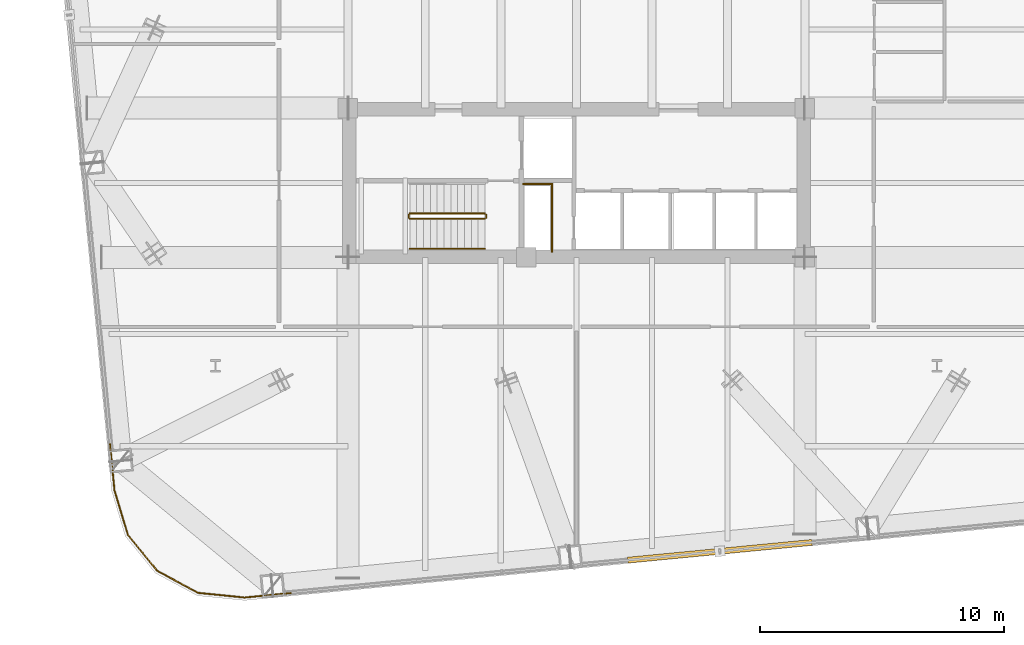
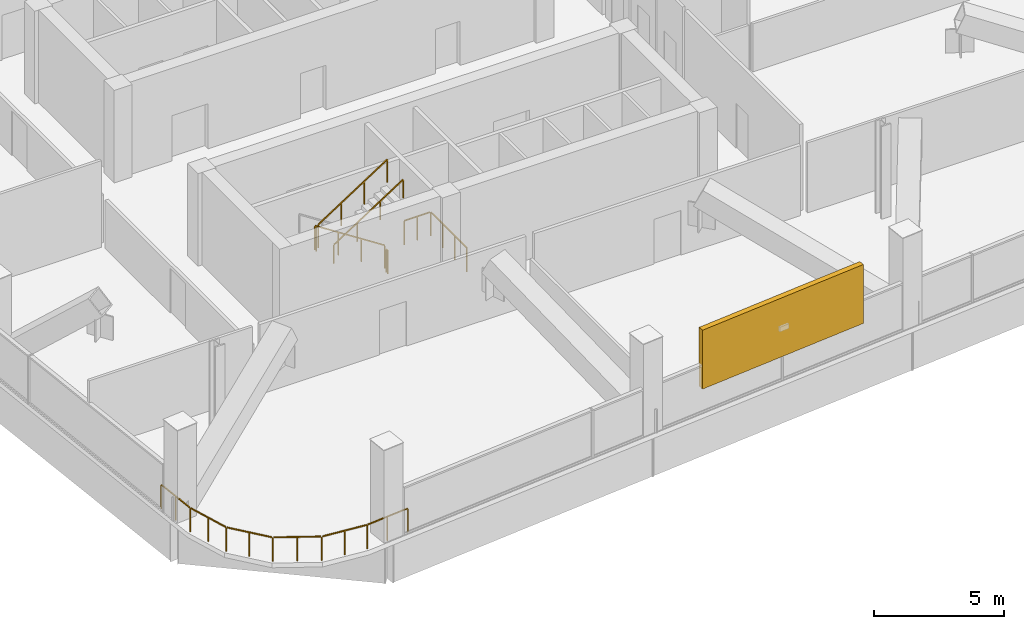
# One storey, part 28 of 30: 7 railings, 1 shading device.
"""IFC4 building model written with IfcOpenShell, lengths in metres."""

import ifcopenshell
import ifcopenshell.guid

model = None  # the IFC model being written
_history = None  # IfcOwnerHistory: only IFC2X3 demands one
_inside = {}  # id of a spatial element -> (the spatial element, [elements in it])
_under = {}  # id of a project, library or spatial element -> (it, [spatial elements below it])
_declared = {}  # id of a project -> (the project, [libraries it declares])
_typed = {}  # id of a type object -> (the type object, [elements of that type])
_made_of = {}  # id of a material, layer set ... -> (it, [elements and type objects made of it])


def new_model(schema):
    """Start an empty IFC model of exactly this schema.

    Asked for "IFC4X3", IfcOpenShell would pick the latest addendum, in which some entities
    have other attributes; the version numbers below select the first issue.
    IFC2X3 requires an IfcOwnerHistory on every rooted entity: one is made here for all.
    """
    global model, _history
    if schema == "IFC4X3":
        model = ifcopenshell.file(schema_version=(4, 3, 0, 0))
    else:
        model = ifcopenshell.file(schema=schema)
    _inside.clear()
    _under.clear()
    _declared.clear()
    _typed.clear()
    _made_of.clear()
    _history = None
    if model.schema == "IFC2X3":
        org = make("IfcOrganization", Name="unknown")
        user = make(
            "IfcPersonAndOrganization",
            ThePerson=make("IfcPerson", FamilyName="unknown"),
            TheOrganization=org,
        )
        app = make(
            "IfcApplication",
            ApplicationDeveloper=org,
            Version="unknown",
            ApplicationFullName="unknown",
            ApplicationIdentifier="unknown",
        )
        _history = make(
            "IfcOwnerHistory",
            OwningUser=user,
            OwningApplication=app,
            ChangeAction="ADDED",
            CreationDate=0,
        )
    return model


def make(cls, **values):
    """One entity of the class cls with the attributes given. An attribute that is None is left unset."""
    return model.create_entity(
        cls, **{name: value for name, value in values.items() if value is not None}
    )


def rooted(cls, **values):
    """An entity with a GlobalId (a new one), such as an element, a storey or a relation."""
    return make(cls, GlobalId=ifcopenshell.guid.new(), OwnerHistory=_history, **values)


def si_unit(unit_type, name, prefix=None):
    """IfcSIUnit, for example si_unit("LENGTHUNIT", "METRE", prefix="MILLI")."""
    return make("IfcSIUnit", UnitType=unit_type, Prefix=prefix, Name=name)


def assignment(units):
    """IfcUnitAssignment: the units of a project."""
    return None if units is None else make("IfcUnitAssignment", Units=units)


def point(xyz):
    """IfcCartesianPoint."""
    return None if xyz is None else make("IfcCartesianPoint", Coordinates=xyz)


def direction(xyz):
    """IfcDirection."""
    return None if xyz is None else make("IfcDirection", DirectionRatios=xyz)


def frame(location, z_axis=None, x_axis=None):
    """IfcAxis2Placement3D, a coordinate frame: its origin and axes. An axis left out is left unset."""
    return make(
        "IfcAxis2Placement3D",
        Location=point(location),
        Axis=direction(z_axis),
        RefDirection=direction(x_axis),
    )


def frame_2d(location, x_axis=None):
    """IfcAxis2Placement2D, a coordinate frame in the plane: its origin and x axis."""
    return make(
        "IfcAxis2Placement2D", Location=point(location), RefDirection=direction(x_axis)
    )


def origin():
    """The frame at (0, 0, 0) with its axes left unset."""
    return frame((0.0, 0.0, 0.0))


def origin_2d():
    """The frame at (0, 0) in the plane with its x axis left unset."""
    return frame_2d((0.0, 0.0))


def place(relative_to, where):
    """IfcLocalPlacement: puts the frame where relative to a parent placement (None: the world)."""
    return make(
        "IfcLocalPlacement", PlacementRelTo=relative_to, RelativePlacement=where
    )


def context(
    kind, dimensions, precision=None, world=None, true_north=None, identifier=None
):
    """IfcGeometricRepresentationContext, for example the 3D "Model" context."""
    return make(
        "IfcGeometricRepresentationContext",
        ContextIdentifier=identifier,
        ContextType=kind,
        CoordinateSpaceDimension=dimensions,
        Precision=precision,
        WorldCoordinateSystem=world,
        TrueNorth=true_north,
    )


def subcontext(parent, identifier, kind, view, scale=None):
    """IfcGeometricRepresentationSubContext, for example "Body" below "Model"."""
    return make(
        "IfcGeometricRepresentationSubContext",
        ContextIdentifier=identifier,
        ContextType=kind,
        ParentContext=parent,
        TargetScale=scale,
        TargetView=view,
    )


def project(units=None, contexts=None):
    """IfcProject with its units and contexts."""
    return rooted(
        "IfcProject",
        Name="project",
        RepresentationContexts=contexts,
        UnitsInContext=assignment(units),
    )


def spatial(cls, under=None, at=None, **own):
    """A site, building, storey or space (cls), placed at a placement, below another one or the project."""
    s = rooted(cls, ObjectPlacement=at, **own)
    if under is not None:
        _under.setdefault(under.id(), (under, []))[1].append(s)
    return s


def profile(cls, at=None, kind="AREA", **sizes):
    """A parametric profile (cls). Its sizes go by their IFC names, for example OverallWidth=200.0."""
    return make(cls, ProfileType=kind, Position=at, **sizes)


def rectangle(**sizes):
    """IfcRectangleProfileDef."""
    return profile("IfcRectangleProfileDef", **sizes)


def extrude(swept, where, along, depth):
    """IfcExtrudedAreaSolid: the profile swept, set in the frame where, extruded along a direction by depth."""
    return make(
        "IfcExtrudedAreaSolid",
        SweptArea=swept,
        Position=where,
        ExtrudedDirection=direction(along),
        Depth=depth,
    )


def shape(context_of_items, identifier, shape_type, items):
    """IfcShapeRepresentation: the items that make up one representation, for example the "Body"."""
    return make(
        "IfcShapeRepresentation",
        ContextOfItems=context_of_items,
        RepresentationIdentifier=identifier,
        RepresentationType=shape_type,
        Items=items,
    )


def material(Name=None, Category=None):
    """IfcMaterial."""
    return make("IfcMaterial", Name=Name, Category=Category)


def made_of(thing, what):
    """Note that an element or type object is made of a material, layer set ...; save() writes the relation."""
    if what is not None:
        _made_of.setdefault(what.id(), (what, []))[1].append(thing)
    return thing


def type_object(cls, material=None, **own):
    """A type object (cls), such as IfcWallType, which elements share."""
    return made_of(rooted(cls, **own), material)


def element(
    cls,
    number,
    at=None,
    inside=None,
    cuts=None,
    type_object=None,
    material=None,
    context=None,
    identifier="Body",
    shape_type=None,
    held_by="IfcProductDefinitionShape",
    body=None,
    shapes=None,
    **own,
):
    """One element of the class cls, such as IfcWall. Its Tag is "e" and its number.

    at: its placement. inside: the storey or other place that contains it. cuts: it is an
    opening in that element (IfcRelVoidsElement). A single representation is given by context,
    identifier, shape_type and body (its items); several are given by shapes. held_by: the class
    of the entity that holds the representations. save() writes the other relations.
    """
    e = rooted(cls, Tag="e%d" % number, ObjectPlacement=at, **own)
    if body is not None:
        shapes = [shape(context, identifier, shape_type, body)]
    if shapes is not None:
        e.Representation = make(held_by, Representations=shapes)
    if inside is not None:
        _inside.setdefault(inside.id(), (inside, []))[1].append(e)
    if cuts is not None:
        rooted(
            "IfcRelVoidsElement", RelatingBuildingElement=cuts, RelatedOpeningElement=e
        )
    if type_object is not None:
        _typed.setdefault(type_object.id(), (type_object, []))[1].append(e)
    return made_of(e, material)


def aggregate(whole, parts):
    """IfcRelAggregates: a whole, such as a stair, and the parts it consists of."""
    return rooted("IfcRelAggregates", RelatingObject=whole, RelatedObjects=parts)


def save(model, path):
    """Write the relations noted so far, then the file.

    IfcRelAggregates (storeys below a building ...), IfcRelContainedInSpatialStructure (elements
    in a storey), IfcRelDefinesByType, IfcRelAssociatesMaterial and IfcRelDeclares: one each for
    every whole, place, type object, material and project.
    """
    for whole, parts in _under.values():
        aggregate(whole, parts)
    for where, things in _inside.values():
        rooted(
            "IfcRelContainedInSpatialStructure",
            RelatedElements=things,
            RelatingStructure=where,
        )
    for kind, things in _typed.values():
        rooted("IfcRelDefinesByType", RelatedObjects=things, RelatingType=kind)
    for what, things in _made_of.values():
        rooted("IfcRelAssociatesMaterial", RelatedObjects=things, RelatingMaterial=what)
    for by, libraries in _declared.values():
        rooted("IfcRelDeclares", RelatingContext=by, RelatedDefinitions=libraries)
    model.write(path)


model = new_model("IFC4")

# Units and contexts
model_context = context("Model", 3, precision=1e-05, world=origin(), true_north=direction((0.0, 1.0)))
body_context = subcontext(model_context, "Body", "Model", "MODEL_VIEW")
ifc_project = project(units=[si_unit("LENGTHUNIT", "METRE"), si_unit("AREAUNIT", "SQUARE_METRE"), si_unit("VOLUMEUNIT", "CUBIC_METRE"), si_unit("PLANEANGLEUNIT", "RADIAN"), si_unit("MASSUNIT", "GRAM", prefix="KILO")], contexts=[model_context])

# Site, building, storey
site_placement = place(None, origin())
site = spatial("IfcSite", under=ifc_project, at=site_placement, CompositionType="ELEMENT")
building_placement = place(site_placement, origin())
building = spatial("IfcBuilding", under=site, at=building_placement, Name="Qhalaya Broadcast Tower", CompositionType="ELEMENT")
storey_placement = place(building_placement, frame((0.0, 0.0, 96.89990234375)))
storey = spatial("IfcBuildingStorey", under=building, at=storey_placement, Name="L28", CompositionType="ELEMENT", Elevation=96.89990234375)

# Railings
ifc_material_1 = material(Name="Powder-Coated Galvanised Steel", Category="steel")
railing_type_1 = type_object("IfcRailingType", Name="Stair Wall Handrail 900", PredefinedType="HANDRAIL", material=ifc_material_1)
railing_1_placement = place(storey_placement, frame((-6.830078125, -8.389892578125, 2.3564453125)))
element("IfcRailing", 1, at=railing_1_placement, inside=storey, type_object=railing_type_1, Name="L28 ST-2 Stair Handrail 2", PredefinedType="HANDRAIL", context=body_context, shape_type="SweptSolid", body=[
    extrude(rectangle(XDim=0.048095703125, YDim=0.048095703125, at=origin_2d()), frame((0.0, 0.0, 0.8759765625), z_axis=(0.839488025565, 0.0, 0.543378187759), x_axis=(0.0, 1.0, 0.0)), (0.0, 0.0, 1.0), 3.6689453125),
    extrude(rectangle(XDim=0.0419921875, YDim=0.0419921875, at=origin_2d()), origin(), (0.0, 0.0, 1.0), 0.849853515625),
    extrude(rectangle(XDim=0.0419921875, YDim=0.0419921875, at=origin_2d()), frame((1.026611328125, 0.0, 0.66455078125)), (0.0, 0.0, 1.0), 0.849853515625),
    extrude(rectangle(XDim=0.0419921875, YDim=0.0419921875, at=origin_2d()), frame((2.053466796875, 0.0, 1.3291015625)), (0.0, 0.0, 1.0), 0.849853515625),
    extrude(rectangle(XDim=0.0419921875, YDim=0.0419921875, at=origin_2d()), frame((3.080078125, 0.0, 1.99365234375)), (0.0, 0.0, 1.0), 0.849853515625),
])
railing_type_2 = type_object("IfcRailingType", Name="Stair Well & Landing Guardrail 1100", PredefinedType="GUARDRAIL", material=ifc_material_1)
railing_2_placement = place(storey_placement, frame((-1.0, -8.52001953125, 0.0)))
element("IfcRailing", 2, at=railing_2_placement, inside=storey, type_object=railing_type_2, Name="L28 Service Riser Opening Safety Guard SRSR", PredefinedType="GUARDRAIL", context=body_context, shape_type="SweptSolid", body=[
    extrude(rectangle(XDim=0.048095703125, YDim=0.048095703125, at=origin_2d()), frame((0.0, 0.0, 1.1259765625), z_axis=(0.0, 1.0, 0.0), x_axis=(-1.0, 0.0, 0.0)), (0.0, 0.0, 1.0), 2.751220703125),
    extrude(rectangle(XDim=0.048095703125, YDim=0.048095703125, at=origin_2d()), frame((-0.02880859375, 2.780029296875, 1.1259765625), z_axis=(-1.0, 0.0, 0.0), x_axis=(0.0, -1.0, 0.0)), (0.0, 0.0, 1.0), 1.151123046875),
    extrude(rectangle(XDim=0.0419921875, YDim=0.0419921875, at=origin_2d()), origin(), (0.0, 0.0, 1.0), 1.099853515625),
    extrude(rectangle(XDim=0.0419921875, YDim=0.0419921875, at=origin_2d()), frame((0.0, 0.9267578125, 0.0)), (0.0, 0.0, 1.0), 1.099853515625),
    extrude(rectangle(XDim=0.0419921875, YDim=0.0419921875, at=origin_2d()), frame((0.0, 1.853271484375, 0.0)), (0.0, 0.0, 1.0), 1.099853515625),
    extrude(rectangle(XDim=0.0419921875, YDim=0.0419921875, at=origin_2d()), frame((0.0, 2.780029296875, 0.0)), (0.0, 0.0, 1.0), 1.099853515625),
    extrude(rectangle(XDim=0.0419921875, YDim=0.0419921875, at=origin_2d()), frame((-0.58984375, 2.780029296875, 0.0)), (0.0, 0.0, 1.0), 1.099853515625),
    extrude(rectangle(XDim=0.0419921875, YDim=0.0419921875, at=origin_2d()), frame((-1.179931640625, 2.780029296875, 0.0)), (0.0, 0.0, 1.0), 1.099853515625),
])
railing_3_placement = place(storey_placement, frame((-3.75, -6.949951171875, 0.181396484375)))
element("IfcRailing", 3, at=railing_3_placement, inside=storey, type_object=railing_type_2, Name="L28 ST-2 Stair Guard 1", PredefinedType="GUARDRAIL", context=body_context, shape_type="SweptSolid", body=[
    extrude(rectangle(XDim=0.048095703125, YDim=0.048095703125, at=origin_2d()), frame((0.0, 0.0, 1.076171875), z_axis=(-0.839488025565, 0.0, 0.543378187759), x_axis=(0.0, -1.0, 0.0)), (0.0, 0.0, 1.0), 3.6689453125),
    extrude(rectangle(XDim=0.0419921875, YDim=0.0419921875, at=origin_2d()), origin(), (0.0, 0.0, 1.0), 1.050048828125),
    extrude(rectangle(XDim=0.0419921875, YDim=0.0419921875, at=origin_2d()), frame((-1.026611328125, 0.0, 0.66455078125)), (0.0, 0.0, 1.0), 1.050048828125),
    extrude(rectangle(XDim=0.0419921875, YDim=0.0419921875, at=origin_2d()), frame((-2.053466796875, 0.0, 1.3291015625)), (0.0, 0.0, 1.0), 1.050048828125),
    extrude(rectangle(XDim=0.0419921875, YDim=0.0419921875, at=origin_2d()), frame((-3.080078125, 0.0, 1.99365234375)), (0.0, 0.0, 1.0), 1.050048828125),
])
railing_4_placement = place(storey_placement, frame((-6.8798828125, -7.0, 2.175048828125)))
element("IfcRailing", 4, at=railing_4_placement, inside=storey, type_object=railing_type_2, Name="L28 ST-2 Stair Guard 2", PredefinedType="GUARDRAIL", context=body_context, shape_type="SweptSolid", body=[
    extrude(rectangle(XDim=0.048095703125, YDim=0.048095703125, at=origin_2d()), frame((0.0, 0.0, 1.076171875), z_axis=(0.0, -1.0, 0.0), x_axis=(1.0, 0.0, 0.0)), (0.0, 0.0, 1.0), 0.1201171875),
    extrude(rectangle(XDim=0.0419921875, YDim=0.0419921875, at=origin_2d()), origin(), (0.0, 0.0, 1.0), 1.050048828125),
    extrude(rectangle(XDim=0.0419921875, YDim=0.0419921875, at=origin_2d()), frame((0.0, -0.1201171875, 0.0)), (0.0, 0.0, 1.0), 1.050048828125),
])
railing_5_placement = place(storey_placement, frame((-6.830078125, -7.169921875, 2.3564453125)))
element("IfcRailing", 5, at=railing_5_placement, inside=storey, type_object=railing_type_2, Name="L28 ST-2 Stair Guard 3", PredefinedType="GUARDRAIL", context=body_context, shape_type="SweptSolid", body=[
    extrude(rectangle(XDim=0.048095703125, YDim=0.048095703125, at=origin_2d()), frame((0.0, 0.0, 1.076171875), z_axis=(0.839488025565, 0.0, 0.543378187759), x_axis=(0.0, 1.0, 0.0)), (0.0, 0.0, 1.0), 3.6689453125),
    extrude(rectangle(XDim=0.0419921875, YDim=0.0419921875, at=origin_2d()), origin(), (0.0, 0.0, 1.0), 1.050048828125),
    extrude(rectangle(XDim=0.0419921875, YDim=0.0419921875, at=origin_2d()), frame((1.026611328125, 0.0, 0.66455078125)), (0.0, 0.0, 1.0), 1.050048828125),
    extrude(rectangle(XDim=0.0419921875, YDim=0.0419921875, at=origin_2d()), frame((2.053466796875, 0.0, 1.3291015625)), (0.0, 0.0, 1.0), 1.050048828125),
    extrude(rectangle(XDim=0.0419921875, YDim=0.0419921875, at=origin_2d()), frame((3.080078125, 0.0, 1.99365234375)), (0.0, 0.0, 1.0), 1.050048828125),
])
railing_6_placement = place(storey_placement, frame((-3.699951171875, -7.0, 0.0)))
element("IfcRailing", 6, at=railing_6_placement, inside=storey, type_object=railing_type_2, Name="L28 ST-2 Stair Guard 4", PredefinedType="GUARDRAIL", context=body_context, shape_type="SweptSolid", body=[
    extrude(rectangle(XDim=0.048095703125, YDim=0.048095703125, at=origin_2d()), frame((0.0, 0.0, 1.076171875), z_axis=(0.0, -1.0, 0.0), x_axis=(1.0, 0.0, 0.0)), (0.0, 0.0, 1.0), 0.1201171875),
    extrude(rectangle(XDim=0.0419921875, YDim=0.0419921875, at=origin_2d()), origin(), (0.0, 0.0, 1.0), 1.050048828125),
    extrude(rectangle(XDim=0.0419921875, YDim=0.0419921875, at=origin_2d()), frame((0.0, -0.1201171875, 0.0)), (0.0, 0.0, 1.0), 1.050048828125),
])
railing_type_3 = type_object("IfcRailingType", Name="Terrace, Sky-Pool & Lookout Glass Balustrade 1150", PredefinedType="BALUSTRADE", material=ifc_material_1)
railing_7_placement = place(storey_placement, frame((-11.71435546875, -22.52197265625, 0.0)))
element("IfcRailing", 7, at=railing_7_placement, inside=storey, type_object=railing_type_3, Name="L28 Rounded Corner Perimeter Guard 02", PredefinedType="BALUSTRADE", context=body_context, shape_type="SweptSolid", body=[
    extrude(rectangle(XDim=0.048095703125, YDim=0.048095703125, at=origin_2d()), frame((0.0, 0.0, 1.1259765625), z_axis=(-0.995400577609, -0.095800261458, 0.0), x_axis=(0.095800261458, -0.995400577609, 0.0)), (0.0, 0.0, 1.0), 1.87744140625),
    extrude(rectangle(XDim=0.048095703125, YDim=0.048095703125, at=origin_2d()), frame((-1.92626953125, -0.1796875, 1.1259765625), z_axis=(-0.994978953282, 0.100084377028, 0.0), x_axis=(-0.100084377028, -0.994978953282, 0.0)), (0.0, 0.0, 1.0), 1.857177734375),
    extrude(rectangle(XDim=0.048095703125, YDim=0.048095703125, at=origin_2d()), frame((-3.828125, 0.022705078125, 1.1259765625), z_axis=(-0.880907290044, 0.473288861424, 0.0), x_axis=(-0.473288861424, -0.880907290044, 0.0)), (0.0, 0.0, 1.0), 1.845703125),
    extrude(rectangle(XDim=0.048095703125, YDim=0.048095703125, at=origin_2d()), frame((-5.497802734375, 0.932373046875, 1.1259765625), z_axis=(-0.632671796541, 0.774420039683, 0.0), x_axis=(-0.774420039683, -0.632671796541, 0.0)), (0.0, 0.0, 1.0), 1.845458984375),
    extrude(rectangle(XDim=0.048095703125, YDim=0.048095703125, at=origin_2d()), frame((-6.69189453125, 2.411376953125, 1.1259765625), z_axis=(-0.288213171456, 0.95756627332, 0.0), x_axis=(-0.95756627332, -0.288213171456, 0.0)), (0.0, 0.0, 1.0), 1.857421875),
    extrude(rectangle(XDim=0.048095703125, YDim=0.048095703125, at=origin_2d()), frame((-7.23828125, 4.24658203125, 1.1259765625), z_axis=(-0.095812476214, 0.99539940195, 0.0), x_axis=(-0.99539940195, -0.095812476214, 0.0)), (0.0, 0.0, 1.0), 1.877197265625),
    extrude(rectangle(XDim=0.0419921875, YDim=0.0419921875, at=origin_2d()), origin(), (0.0, 0.0, 1.0), 1.099853515625),
    extrude(rectangle(XDim=0.0419921875, YDim=0.0419921875, at=origin_2d()), frame((-0.94873046875, -0.09130859375, 0.0)), (0.0, 0.0, 1.0), 1.099853515625),
    extrude(rectangle(XDim=0.0419921875, YDim=0.0419921875, at=origin_2d()), frame((-1.8974609375, -0.1826171875, 0.0)), (0.0, 0.0, 1.0), 1.099853515625),
    extrude(rectangle(XDim=0.0419921875, YDim=0.0419921875, at=origin_2d()), frame((-2.85009765625, -0.0869140625, 0.0)), (0.0, 0.0, 1.0), 1.099853515625),
    extrude(rectangle(XDim=0.0419921875, YDim=0.0419921875, at=origin_2d()), frame((-3.802734375, 0.009033203125, 0.0)), (0.0, 0.0, 1.0), 1.099853515625),
    extrude(rectangle(XDim=0.0419921875, YDim=0.0419921875, at=origin_2d()), frame((-4.64111328125, 0.45947265625, 0.0)), (0.0, 0.0, 1.0), 1.099853515625),
    extrude(rectangle(XDim=0.0419921875, YDim=0.0419921875, at=origin_2d()), frame((-5.4794921875, 0.909912109375, 0.0)), (0.0, 0.0, 1.0), 1.099853515625),
    extrude(rectangle(XDim=0.0419921875, YDim=0.0419921875, at=origin_2d()), frame((-6.08154296875, 1.64697265625, 0.0)), (0.0, 0.0, 1.0), 1.099853515625),
    extrude(rectangle(XDim=0.0419921875, YDim=0.0419921875, at=origin_2d()), frame((-6.68359375, 2.3837890625, 0.0)), (0.0, 0.0, 1.0), 1.099853515625),
    extrude(rectangle(XDim=0.0419921875, YDim=0.0419921875, at=origin_2d()), frame((-6.95947265625, 3.30078125, 0.0)), (0.0, 0.0, 1.0), 1.099853515625),
    extrude(rectangle(XDim=0.0419921875, YDim=0.0419921875, at=origin_2d()), frame((-7.235595703125, 4.2177734375, 0.0)), (0.0, 0.0, 1.0), 1.099853515625),
    extrude(rectangle(XDim=0.0419921875, YDim=0.0419921875, at=origin_2d()), frame((-7.326904296875, 5.16650390625, 0.0)), (0.0, 0.0, 1.0), 1.099853515625),
    extrude(rectangle(XDim=0.0419921875, YDim=0.0419921875, at=origin_2d()), frame((-7.418212890625, 6.114990234375, 0.0)), (0.0, 0.0, 1.0), 1.099853515625),
])

# Shading device
ifc_material_2 = material(Name="Fired Architectural Terracotta", Category="masonry")
shading_device_type = type_object("IfcShadingDeviceType", Name="Terracotta Baguette Solar Screen Assembly TBS-01", PredefinedType="USERDEFINED", material=ifc_material_2)
shading_device_placement = place(storey_placement, frame((5.884521484375, -20.807373046875, 1.139404296875), z_axis=(0.0, 0.0, 1.0), x_axis=(0.995396198367, 0.09584575252, 0.0)))
element("IfcShadingDevice", 8, at=shading_device_placement, inside=storey, type_object=shading_device_type, Name="L28 Fired Terracotta Baguette Screen S", ObjectType="BAGUETTE", PredefinedType="USERDEFINED", context=body_context, shape_type="SweptSolid", body=[
    extrude(rectangle(XDim=7.60009765625, YDim=0.239990234375, at=origin_2d()), origin(), (0.0, 0.0, 1.0), 2.76806640625),
])

save(model, "model.ifc")
